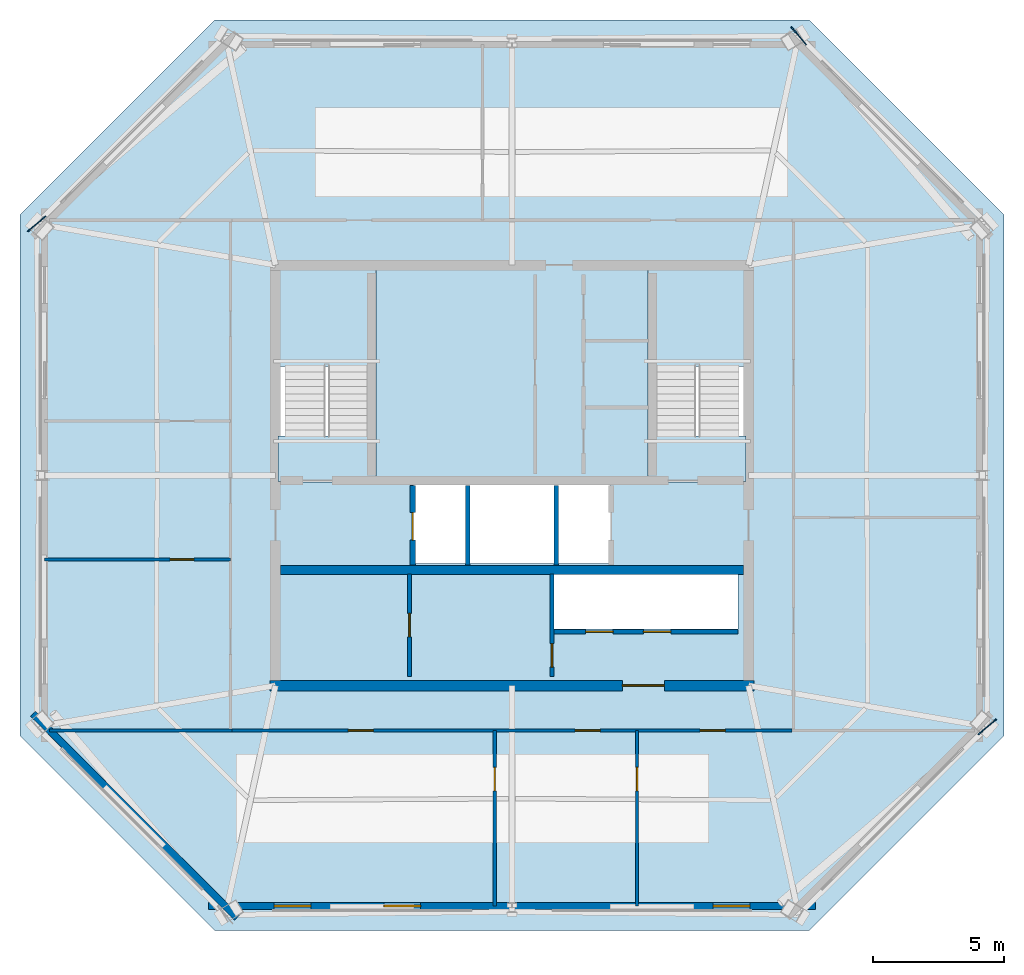
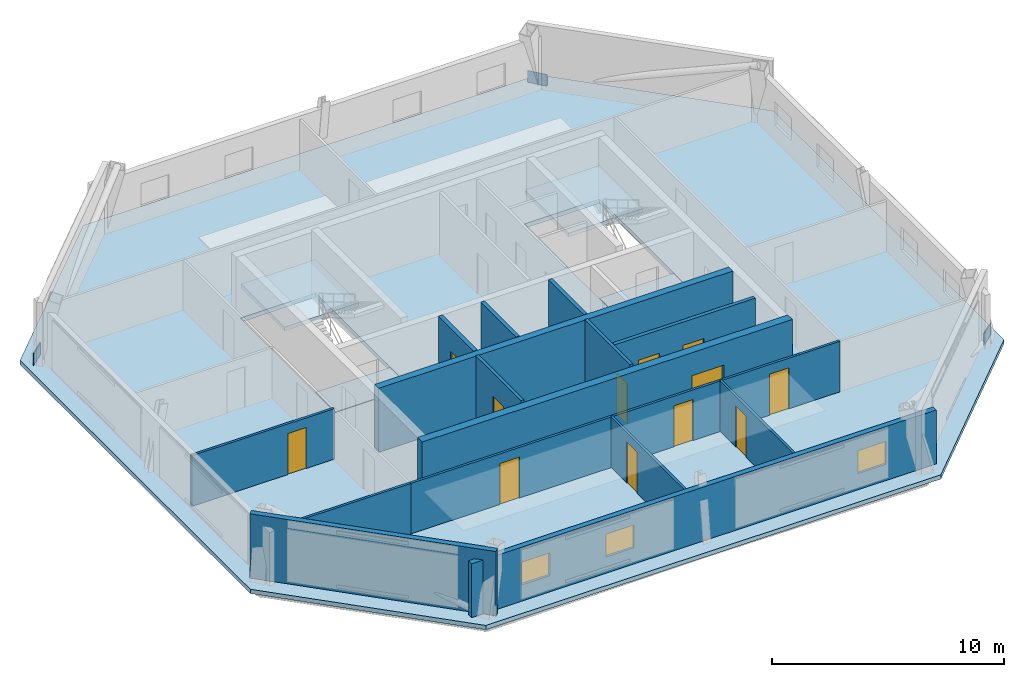
# One storey, part 2 of 6: 15 walls, 12 doors, 5 slabs, 3 plates, 3 windows, 15 openings, 2 elements without a shape of their own.
"""IFC4 building model written with IfcOpenShell, lengths in metres."""

from ifc_helpers import new_model, si_unit, direction, frame, frame_2d, origin, origin_2d, place, context, subcontext, project, spatial, polyline, rectangle, outline, extrude, material, layer, layer_set, type_object, element, fill, aggregate, save


model = new_model("IFC4")

# Units and contexts
model_context = context("Model", 3, precision=1e-05, world=origin(), true_north=direction((0.0, 1.0)))
body_context = subcontext(model_context, "Body", "Model", "MODEL_VIEW")
ifc_project = project(units=[si_unit("LENGTHUNIT", "METRE"), si_unit("AREAUNIT", "SQUARE_METRE"), si_unit("VOLUMEUNIT", "CUBIC_METRE"), si_unit("PLANEANGLEUNIT", "RADIAN"), si_unit("MASSUNIT", "GRAM", prefix="KILO")], contexts=[model_context])

# Site, building, storey
site_placement = place(None, origin())
site = spatial("IfcSite", under=ifc_project, at=site_placement, CompositionType="ELEMENT")
building_placement = place(site_placement, origin())
building = spatial("IfcBuilding", under=site, at=building_placement, Name="Caelvoria Tower", CompositionType="ELEMENT")
storey_placement = place(building_placement, frame((0.0, 0.0, 268.199951171875)))
storey = spatial("IfcBuildingStorey", under=building, at=storey_placement, Name="L71", CompositionType="ELEMENT", Elevation=268.199951171875)

# Plates
ifc_material_1 = material(Name="Structural Steel ASTM A572 Gr.50", Category="steel")
ifc_layer_1 = layer(ifc_material_1, 0.0400390625, Name="Structural Steel ASTM A572 Gr.50")
ifc_layer_set_1 = layer_set([ifc_layer_1], Name="Megaframe Node Gusset Plate 900x600x40 - Structural Steel ASTM A572 Gr.50")
plate_type = type_object("IfcPlateType", Name="Megaframe Node Gusset Plate 900x600x40", PredefinedType="USERDEFINED", material=ifc_layer_set_1)
for number, where, z_axis, x_axis, name in (
    (1, (64.086181640625, 22.427734375, 0.02001953125), (0.0, 0.0, 1.0), (-0.761714743797, -0.647912531969, 0.0), "Chamfer Mega Brace Gusset L71 SE"),
    (2, (56.9111328125, 48.724365234375, 0.02001953125), (0.0, 0.0, 1.0), (0.648837346052, -0.760927130788, 0.0), "Chamfer Mega Brace Gusset L71 NE"),
    (3, (27.913818359375, 41.572265625, 0.02001953125), (0.0, 0.0, 1.0), (0.761714743797, 0.647912531969, 0.0), "Chamfer Mega Brace Gusset L71 NW"),
):
    element("IfcPlate", number, at=place(storey_placement, frame(where, z_axis=z_axis, x_axis=x_axis)), inside=storey, type_object=plate_type, Name=name, ObjectType="GUSSET_PLATE", PredefinedType="USERDEFINED", context=body_context, shape_type="SweptSolid", body=[
        extrude(rectangle(XDim=0.89990234375, YDim=0.0400390625, at=origin_2d()), origin(), (0.0, 0.0, 1.0), 0.60009765625),
    ])

# Stair, slabs
ifc_material_2 = material(Name="Concrete C40/50", Category="concrete")
stair_type = type_object("IfcStairType", Name="Core Smokeproof Dogleg Stair Concrete C40/50", PredefinedType="HALF_TURN_STAIR", material=ifc_material_2)
stair_1_placement = place(storey_placement, origin())
stair_1 = element("IfcStair", 4, at=stair_1_placement, inside=storey, type_object=stair_type, Name="ST-01 Smokeproof Exit Stair L71", PredefinedType="HALF_TURN_STAIR")
ifc_layer_2 = layer(ifc_material_2, 0.199951171875, Name="Concrete C40/50")
ifc_layer_set_2 = layer_set([ifc_layer_2], Name="Stair Half and Floor Landing Slab 200 Concrete C40/50 - Concrete C40/50")
slab_type_1 = type_object("IfcSlabType", Name="Stair Half and Floor Landing Slab 200 Concrete C40/50", PredefinedType="LANDING", material=ifc_layer_set_2)
slab_1_placement = place(storey_placement, frame((0.0, 0.0, -0.199951171875)))
slab_1 = element("IfcSlab", 5, at=slab_1_placement, type_object=slab_type_1, Name="ST-01 landing 1", PredefinedType="LANDING", context=body_context, shape_type="SweptSolid", body=[
    extrude(outline(polyline([(37.10009765625, 31.77001953125), (40.800048828125, 31.77001953125), (40.800048828125, 33.5), (37.10009765625, 33.5), (37.10009765625, 31.77001953125)])), origin(), (0.0, 0.0, 1.0), 0.199951171875),
])
slab_2_placement = place(storey_placement, frame((0.0, 0.0, 1.60009765625)))
slab_2 = element("IfcSlab", 6, at=slab_2_placement, type_object=slab_type_1, Name="ST-01 landing 2", PredefinedType="LANDING", context=body_context, shape_type="SweptSolid", body=[
    extrude(outline(polyline([(37.10009765625, 36.14990234375), (40.800048828125, 36.14990234375), (40.800048828125, 39.89990234375), (37.10009765625, 39.89990234375), (37.10009765625, 36.14990234375)])), origin(), (0.0, 0.0, 1.0), 0.199951171875),
])
aggregate(stair_1, [slab_1, slab_2])

stair_2_placement = place(storey_placement, origin())
stair_2 = element("IfcStair", 7, at=stair_2_placement, inside=storey, type_object=stair_type, Name="ST-02 Smokeproof Exit Stair L71", PredefinedType="HALF_TURN_STAIR")
slab_3_placement = place(storey_placement, frame((0.0, 0.0, -0.199951171875)))
slab_3 = element("IfcSlab", 8, at=slab_3_placement, type_object=slab_type_1, Name="ST-02 landing 1", PredefinedType="LANDING", context=body_context, shape_type="SweptSolid", body=[
    extrude(outline(polyline([(51.199951171875, 31.77001953125), (54.89990234375, 31.77001953125), (54.89990234375, 33.5), (51.199951171875, 33.5), (51.199951171875, 31.77001953125)])), origin(), (0.0, 0.0, 1.0), 0.199951171875),
])
slab_4_placement = place(storey_placement, frame((0.0, 0.0, 1.60009765625)))
slab_4 = element("IfcSlab", 9, at=slab_4_placement, type_object=slab_type_1, Name="ST-02 landing 2", PredefinedType="LANDING", context=body_context, shape_type="SweptSolid", body=[
    extrude(outline(polyline([(51.199951171875, 36.14990234375), (54.89990234375, 36.14990234375), (54.89990234375, 39.89990234375), (51.199951171875, 39.89990234375), (51.199951171875, 36.14990234375)])), origin(), (0.0, 0.0, 1.0), 0.199951171875),
])
aggregate(stair_2, [slab_3, slab_4])

# Slab
ifc_layer_3 = layer(ifc_material_2, 0.22509765625, Name="Concrete C40/50")
ifc_layer_set_3 = layer_set([ifc_layer_3], Name="Upper Tower Composite Office Slab 225 - Concrete C40/50")
slab_type_2 = type_object("IfcSlabType", Name="Upper Tower Composite Office Slab 225", PredefinedType="FLOOR", material=ifc_layer_set_3)
slab_5_placement = place(storey_placement, frame((0.0, 0.0, -0.224853515625)))
element("IfcSlab", 10, at=slab_5_placement, inside=storey, type_object=slab_type_2, Name="Level L71 Structural Floor Slab", PredefinedType="FLOOR", context=body_context, shape_type="SweptSolid", body=[
    extrude(outline(polyline([(34.695556640625, 14.672607421875), (57.304443359375, 14.672607421875), (64.72265625, 22.0908203125), (64.72265625, 41.9091796875), (57.304443359375, 49.327392578125), (34.695556640625, 49.327392578125), (27.27734375, 41.9091796875), (27.27734375, 22.0908203125), (34.695556640625, 14.672607421875)]), holes=[polyline([(37.080078125, 31.75), (40.820068359375, 31.75), (40.820068359375, 39.919921875), (37.080078125, 39.919921875), (37.080078125, 31.75)]), polyline([(51.179931640625, 31.75), (54.919921875, 31.75), (54.919921875, 39.919921875), (51.179931640625, 39.919921875), (51.179931640625, 31.75)]), polyline([(42.25, 28.64990234375), (49.75, 28.64990234375), (49.75, 31.800048828125), (42.25, 31.800048828125), (42.25, 28.64990234375)]), polyline([(47.60009765625, 26.14990234375), (54.60009765625, 26.14990234375), (54.60009765625, 28.25), (47.60009765625, 28.25), (47.60009765625, 26.14990234375)])]), origin(), (0.0, 0.0, 1.0), 0.224853515625),
])

# Wall
ifc_material_3 = material(Name="Concrete C50/60", Category="concrete")
ifc_layer_4 = layer(ifc_material_3, 0.35009765625, Name="Concrete C50/60")
ifc_layer_set_4 = layer_set([ifc_layer_4], Name="Core Internal Shear Wall 350 - Concrete C50/60")
wall_type_1 = type_object("IfcWallType", Name="Core Internal Shear Wall 350", PredefinedType="SHEAR", material=ifc_layer_set_4)
wall_1_placement = place(storey_placement, frame((37.199951171875, 28.39990234375, 0.0), z_axis=(0.0, 0.0, 1.0), x_axis=(1.0, 0.0, 0.0)))
element("IfcWall", 11, at=wall_1_placement, inside=storey, type_object=wall_type_1, Name="Core Shear Wall L71 M2", PredefinedType="SHEAR", context=body_context, shape_type="SweptSolid", body=[
    extrude(rectangle(XDim=17.60009765625, YDim=0.35009765625, at=frame_2d((8.800048828125, 0.0))), origin(), (0.0, 0.0, 1.0), 3.360107421875),
])

# Wall, opening, door
ifc_material_4 = material(Name="Double Gypsum Board on Steel Stud", Category="steel")
ifc_layer_5 = layer(ifc_material_4, 0.14990234375, Name="Double Gypsum Board on Steel Stud")
ifc_layer_set_5 = layer_set([ifc_layer_5], Name="Core Service Acoustic Partition Wall 150 - Double Gypsum Board on Steel Stud")
wall_type_2 = type_object("IfcWallType", Name="Core Service Acoustic Partition Wall 150", PredefinedType="PARTITIONING", material=ifc_layer_set_5)
wall_2_placement = place(storey_placement, frame((42.10009765625, 24.35009765625, 0.0), z_axis=(0.0, 0.0, 1.0), x_axis=(0.0, 1.0, 0.0)))
wall_2 = element("IfcWall", 12, at=wall_2_placement, inside=storey, type_object=wall_type_2, Name="Interior Partition IW-L71-RECL-MID", PredefinedType="PARTITIONING", context=body_context, shape_type="SweptSolid", body=[
    extrude(rectangle(XDim=3.89990234375, YDim=0.14990234375, at=frame_2d((1.949951171875, 0.0))), origin(), (0.0, 0.0, 1.0), 3.375),
])
opening_1_placement = place(wall_2_placement, frame((1.5, 0.0, 0.0)))
opening_1 = element("IfcOpeningElement", 13, at=opening_1_placement, cuts=wall_2, Name="Opening ID-06", PredefinedType="OPENING", context=body_context, shape_type="SweptSolid", body=[
    extrude(rectangle(XDim=0.89990234375, YDim=2.14990234375, at=frame_2d((0.449951171875, 1.074951171875))), frame((0.0, 0.0849609375, 0.0), z_axis=(0.0, -1.0, 0.0), x_axis=(1.0, 0.0, 0.0)), (0.0, 0.0, 1.0), 0.169921875),
])
ifc_material_5 = material(Name="Engineered Andean Oak Veneer Door", Category="wood")
door_type_1 = type_object("IfcDoorType", Name="Interior Timber Door 900x2150", OperationType="NOTDEFINED", PredefinedType="DOOR", material=ifc_material_5)
door_1_placement = place(opening_1_placement, origin())
door_1 = element("IfcDoor", 14, at=door_1_placement, inside=storey, type_object=door_type_1, Name="Interior Door DR-L71-RECL12", OperationType="SINGLE_SWING_LEFT", OverallHeight=2.14990234375, OverallWidth=0.89990234375, PredefinedType="DOOR", context=body_context, shape_type="SweptSolid", body=[
    extrude(rectangle(XDim=0.89990234375, YDim=2.14990234375, at=frame_2d((0.449951171875, 1.074951171875))), frame((0.0, 0.02490234375, 0.0), z_axis=(0.0, -1.0, 0.0), x_axis=(1.0, 0.0, 0.0)), (0.0, 0.0, 1.0), 0.050048828125),
])
fill(opening_1, door_1)

wall_3_placement = place(storey_placement, frame((47.52001953125, 24.35009765625, 0.0), z_axis=(0.0, 0.0, 1.0), x_axis=(0.0, 1.0, 0.0)))
wall_3 = element("IfcWall", 15, at=wall_3_placement, inside=storey, type_object=wall_type_2, Name="Interior Partition IW-L71-RECL2E", PredefinedType="PARTITIONING", context=body_context, shape_type="SweptSolid", body=[
    extrude(rectangle(XDim=3.89990234375, YDim=0.14990234375, at=frame_2d((1.949951171875, 0.0))), origin(), (0.0, 0.0, 1.0), 3.375),
])
opening_2_placement = place(wall_3_placement, frame((0.35009765625, 0.0, 0.0)))
opening_2 = element("IfcOpeningElement", 16, at=opening_2_placement, cuts=wall_3, Name="Opening ID-04", PredefinedType="OPENING", context=body_context, shape_type="SweptSolid", body=[
    extrude(rectangle(XDim=0.89990234375, YDim=2.14990234375, at=frame_2d((0.449951171875, 1.074951171875))), frame((0.0, 0.0849609375, 0.0), z_axis=(0.0, -1.0, 0.0), x_axis=(1.0, 0.0, 0.0)), (0.0, 0.0, 1.0), 0.169921875),
])
ifc_material_6 = material(Name="Acoustic Timber Fire Door", Category="wood")
door_type_2 = type_object("IfcDoorType", Name="Fire Door FD30S 900x2150", OperationType="NOTDEFINED", PredefinedType="DOOR", material=ifc_material_6)
door_2_placement = place(opening_2_placement, origin())
door_2 = element("IfcDoor", 17, at=door_2_placement, inside=storey, type_object=door_type_2, Name="Interior Door DR-L71-RECL2", OperationType="SINGLE_SWING_RIGHT", OverallHeight=2.14990234375, OverallWidth=0.89990234375, PredefinedType="DOOR", context=body_context, shape_type="SweptSolid", body=[
    extrude(rectangle(XDim=0.89990234375, YDim=2.14990234375, at=frame_2d((0.449951171875, 1.074951171875))), frame((0.0, 0.02490234375, 0.0), z_axis=(0.0, -1.0, 0.0), x_axis=(1.0, 0.0, 0.0)), (0.0, 0.0, 1.0), 0.050048828125),
])
fill(opening_2, door_2)

# Walls
ifc_material_7 = material(Name="Concrete Block and Fireboard Assembly", Category="concrete")
ifc_layer_6 = layer(ifc_material_7, 0.179931640625, Name="Concrete Block and Fireboard Assembly")
ifc_layer_set_6 = layer_set([ifc_layer_6], Name="Fire-Rated Hoistway Partition Wall 180 - Concrete Block and Fireboard Assembly")
wall_type_3 = type_object("IfcWallType", Name="Fire-Rated Hoistway Partition Wall 180", PredefinedType="PARTITIONING", material=ifc_layer_set_6)
for number, where, z_axis, x_axis, name in (
    (18, (44.320068359375, 28.580078125, 0.0), (0.0, 0.0, 1.0), (0.0, 1.0, 0.0), "Interior Partition IW-L71-SV1W"),
    (19, (47.679931640625, 28.580078125, 0.0), (0.0, 0.0, 1.0), (0.0, 1.0, 0.0), "Interior Partition IW-L71-SV1E"),
):
    element("IfcWall", number, at=place(storey_placement, frame(where, z_axis=z_axis, x_axis=x_axis)), inside=storey, type_object=wall_type_3, Name=name, PredefinedType="PARTITIONING", context=body_context, shape_type="SweptSolid", body=[
        extrude(rectangle(XDim=3.0400390625, YDim=0.179931640625, at=frame_2d((1.52001953125, 0.0))), origin(), (0.0, 0.0, 1.0), 3.375),
    ])

# Wall, openings, doors
wall_4_placement = place(storey_placement, frame((47.60009765625, 26.050048828125, 0.0), z_axis=(0.0, 0.0, 1.0), x_axis=(1.0, 0.0, 0.0)))
wall_4 = element("IfcWall", 20, at=wall_4_placement, inside=storey, type_object=wall_type_3, Name="Interior Partition IW-L71-LFRONT", PredefinedType="PARTITIONING", context=body_context, shape_type="SweptSolid", body=[
    extrude(rectangle(XDim=7.0, YDim=0.179931640625, at=frame_2d((3.5, 0.0))), origin(), (0.0, 0.0, 1.0), 3.375),
])
opening_3_placement = place(wall_4_placement, frame((1.199951171875, 0.0, 0.0)))
opening_3 = element("IfcOpeningElement", 21, at=opening_3_placement, cuts=wall_4, Name="Opening LD-01", PredefinedType="OPENING", context=body_context, shape_type="SweptSolid", body=[
    extrude(rectangle(XDim=1.050048828125, YDim=2.14990234375, at=frame_2d((0.52490234375, 1.074951171875))), frame((0.0, 0.099853515625, 0.0), z_axis=(0.0, -1.0, 0.0), x_axis=(1.0, 0.0, 0.0)), (0.0, 0.0, 1.0), 0.199951171875),
])
opening_4_placement = place(wall_4_placement, frame((3.39990234375, 0.0, 0.0)))
opening_4 = element("IfcOpeningElement", 22, at=opening_4_placement, cuts=wall_4, Name="Opening LD-01", PredefinedType="OPENING", context=body_context, shape_type="SweptSolid", body=[
    extrude(rectangle(XDim=1.050048828125, YDim=2.14990234375, at=frame_2d((0.52490234375, 1.074951171875))), frame((0.0, 0.099853515625, 0.0), z_axis=(0.0, -1.0, 0.0), x_axis=(1.0, 0.0, 0.0)), (0.0, 0.0, 1.0), 0.199951171875),
])
ifc_material_8 = material(Name="Brushed Bronze Stainless Sliding Landing Door", Category="aluminium")
door_type_3 = type_object("IfcDoorType", Name="Lift Landing Sliding Door 1100x2150", OperationType="NOTDEFINED", PredefinedType="DOOR", material=ifc_material_8)
door_3_placement = place(opening_3_placement, origin())
door_3 = element("IfcDoor", 23, at=door_3_placement, inside=storey, type_object=door_type_3, Name="Interior Door LD-L71-PH1", OperationType="SLIDING_TO_LEFT", OverallHeight=2.14990234375, OverallWidth=1.050048828125, PredefinedType="DOOR", context=body_context, shape_type="SweptSolid", body=[
    extrude(rectangle(XDim=1.050048828125, YDim=2.14990234375, at=frame_2d((0.52490234375, 1.074951171875))), frame((0.0, 0.02490234375, 0.0), z_axis=(0.0, -1.0, 0.0), x_axis=(1.0, 0.0, 0.0)), (0.0, 0.0, 1.0), 0.050048828125),
])
fill(opening_3, door_3)
door_4_placement = place(opening_4_placement, origin())
door_4 = element("IfcDoor", 24, at=door_4_placement, inside=storey, type_object=door_type_3, Name="Interior Door LD-L71-PH2", OperationType="SLIDING_TO_RIGHT", OverallHeight=2.14990234375, OverallWidth=1.050048828125, PredefinedType="DOOR", context=body_context, shape_type="SweptSolid", body=[
    extrude(rectangle(XDim=1.050048828125, YDim=2.14990234375, at=frame_2d((0.52490234375, 1.074951171875))), frame((0.0, 0.02490234375, 0.0), z_axis=(0.0, -1.0, 0.0), x_axis=(1.0, 0.0, 0.0)), (0.0, 0.0, 1.0), 0.050048828125),
])
fill(opening_4, door_4)

# Wall, opening, door
ifc_layer_7 = layer(ifc_material_7, 0.199951171875, Name="Concrete Block and Fireboard Assembly")
ifc_layer_set_7 = layer_set([ifc_layer_7], Name="Fire-Rated Shaft and Core Partition Wall 200 - Concrete Block and Fireboard Assembly")
wall_type_4 = type_object("IfcWallType", Name="Fire-Rated Shaft and Core Partition Wall 200", PredefinedType="PARTITIONING", material=ifc_layer_set_7)
wall_5_placement = place(storey_placement, frame((42.219970703125, 28.580078125, 0.0), z_axis=(0.0, 0.0, 1.0), x_axis=(0.0, 1.0, 0.0)))
wall_5 = element("IfcWall", 25, at=wall_5_placement, inside=storey, type_object=wall_type_4, Name="Interior Partition IW-L71-LF1W", PredefinedType="PARTITIONING", context=body_context, shape_type="SweptSolid", body=[
    extrude(rectangle(XDim=3.0400390625, YDim=0.199951171875, at=frame_2d((1.52001953125, 0.0))), origin(), (0.0, 0.0, 1.0), 3.375),
])
opening_5_placement = place(wall_5_placement, frame((0.949951171875, 0.0, 0.0)))
opening_5 = element("IfcOpeningElement", 26, at=opening_5_placement, cuts=wall_5, Name="Opening LD-01", PredefinedType="OPENING", context=body_context, shape_type="SweptSolid", body=[
    extrude(rectangle(XDim=1.050048828125, YDim=2.14990234375, at=frame_2d((0.52490234375, 1.074951171875))), frame((0.0, 0.10986328125, 0.0), z_axis=(0.0, -1.0, 0.0), x_axis=(1.0, 0.0, 0.0)), (0.0, 0.0, 1.0), 0.219970703125),
])
door_5_placement = place(opening_5_placement, origin())
door_5 = element("IfcDoor", 27, at=door_5_placement, inside=storey, type_object=door_type_3, Name="Interior Door LD-L71-LF1", OperationType="SLIDING_TO_LEFT", OverallHeight=2.14990234375, OverallWidth=1.050048828125, PredefinedType="DOOR", context=body_context, shape_type="SweptSolid", body=[
    extrude(rectangle(XDim=1.050048828125, YDim=2.14990234375, at=frame_2d((0.52490234375, 1.074951171875))), frame((0.0, 0.02490234375, 0.0), z_axis=(0.0, -1.0, 0.0), x_axis=(1.0, 0.0, 0.0)), (0.0, 0.0, 1.0), 0.050048828125),
])
fill(opening_5, door_5)

ifc_layer_8 = layer(ifc_material_3, 0.39990234375, Name="Concrete C50/60")
ifc_layer_set_8 = layer_set([ifc_layer_8], Name="Summit Core Shear Wall 400 - Concrete C50/60")
wall_type_5 = type_object("IfcWallType", Name="Summit Core Shear Wall 400", PredefinedType="SHEAR", material=ifc_layer_set_8)
wall_6_placement = place(storey_placement, frame((36.800048828125, 24.0, 0.0), z_axis=(0.0, 0.0, 1.0), x_axis=(1.0, 0.0, 0.0)))
wall_6 = element("IfcWall", 28, at=wall_6_placement, inside=storey, type_object=wall_type_5, Name="Core Shear Wall L71 S", PredefinedType="SHEAR", context=body_context, shape_type="SweptSolid", body=[
    extrude(rectangle(XDim=18.39990234375, YDim=0.39990234375, at=frame_2d((9.199951171875, 0.0))), origin(), (0.0, 0.0, 1.0), 3.360107421875),
])
opening_6_placement = place(wall_6_placement, frame((13.39990234375, 0.0, 0.0)))
opening_6 = element("IfcOpeningElement", 29, at=opening_6_placement, cuts=wall_6, Name="Opening ID-08", PredefinedType="OPENING", context=body_context, shape_type="SweptSolid", body=[
    extrude(rectangle(XDim=1.60009765625, YDim=2.14990234375, at=frame_2d((0.800048828125, 1.074951171875))), frame((0.0, 0.2099609375, 0.0), z_axis=(0.0, -1.0, 0.0), x_axis=(1.0, 0.0, 0.0)), (0.0, 0.0, 1.0), 0.419921875),
])
ifc_material_9 = material(Name="Bronze-Framed Fire-Rated Glazed Double Door", Category="aluminium")
door_type_4 = type_object("IfcDoorType", Name="Double Lobby Glazed Door 1600x2200", OperationType="NOTDEFINED", PredefinedType="DOOR", material=ifc_material_9)
door_6_placement = place(opening_6_placement, origin())
door_6 = element("IfcDoor", 30, at=door_6_placement, inside=storey, type_object=door_type_4, Name="Core Door DR-L71-LLOB-S2", OperationType="DOUBLE_DOOR_SINGLE_SWING", OverallHeight=2.14990234375, OverallWidth=1.60009765625, PredefinedType="DOOR", context=body_context, shape_type="SweptSolid", body=[
    extrude(rectangle(XDim=1.60009765625, YDim=2.14990234375, at=frame_2d((0.800048828125, 1.074951171875))), frame((0.0, 0.02490234375, 0.0), z_axis=(0.0, -1.0, 0.0), x_axis=(1.0, 0.0, 0.0)), (0.0, 0.0, 1.0), 0.050048828125),
])
fill(opening_6, door_6)

ifc_material_10 = material(Name="Acoustic Gypsum Board on Light-Gauge Stud", Category="gypsum")
ifc_layer_9 = layer(ifc_material_10, 0.1201171875, Name="Acoustic Gypsum Board on Light-Gauge Stud")
ifc_layer_set_9 = layer_set([ifc_layer_9], Name="Tenant Suite Acoustic Partition Wall 120 - Acoustic Gypsum Board on Light-Gauge Stud")
wall_type_6 = type_object("IfcWallType", Name="Tenant Suite Acoustic Partition Wall 120", PredefinedType="PARTITIONING", material=ifc_layer_set_9)
wall_7_placement = place(storey_placement, frame((45.345458984375, 22.2900390625, 0.0), z_axis=(0.0, 0.0, 1.0), x_axis=(0.0, -1.0, 0.0)))
wall_7 = element("IfcWall", 31, at=wall_7_placement, inside=storey, type_object=wall_type_6, Name="Interior Partition IW-L71-SD-00-0", PredefinedType="PARTITIONING", context=body_context, shape_type="SweptSolid", body=[
    extrude(rectangle(XDim=6.67724609375, YDim=0.1201171875, at=frame_2d((3.338623046875, 0.0))), origin(), (0.0, 0.0, 1.0), 2.655029296875),
])
opening_7_placement = place(wall_7_placement, frame((1.39990234375, 0.0, 0.0)))
opening_7 = element("IfcOpeningElement", 32, at=opening_7_placement, cuts=wall_7, Name="Opening ID-06", PredefinedType="OPENING", context=body_context, shape_type="SweptSolid", body=[
    extrude(rectangle(XDim=0.89990234375, YDim=2.14990234375, at=frame_2d((0.449951171875, 1.074951171875))), frame((0.0, 0.070068359375, 0.0), z_axis=(0.0, -1.0, 0.0), x_axis=(1.0, 0.0, 0.0)), (0.0, 0.0, 1.0), 0.14013671875),
])
door_7_placement = place(opening_7_placement, origin())
door_7 = element("IfcDoor", 33, at=door_7_placement, inside=storey, type_object=door_type_1, Name="Interior Door DR-L71-SM-00-0", OperationType="SINGLE_SWING_RIGHT", OverallHeight=2.14990234375, OverallWidth=0.89990234375, PredefinedType="DOOR", context=body_context, shape_type="SweptSolid", body=[
    extrude(rectangle(XDim=0.89990234375, YDim=2.14990234375, at=frame_2d((0.449951171875, 1.074951171875))), frame((0.0, 0.02490234375, 0.0), z_axis=(0.0, -1.0, 0.0), x_axis=(1.0, 0.0, 0.0)), (0.0, 0.0, 1.0), 0.050048828125),
])
fill(opening_7, door_7)

wall_8_placement = place(storey_placement, frame((50.760986328125, 22.2900390625, 0.0), z_axis=(0.0, 0.0, 1.0), x_axis=(0.0, -1.0, 0.0)))
wall_8 = element("IfcWall", 34, at=wall_8_placement, inside=storey, type_object=wall_type_6, Name="Interior Partition IW-L71-SD-01-0", PredefinedType="PARTITIONING", context=body_context, shape_type="SweptSolid", body=[
    extrude(rectangle(XDim=6.67724609375, YDim=0.1201171875, at=frame_2d((3.338623046875, 0.0))), origin(), (0.0, 0.0, 1.0), 2.655029296875),
])
opening_8_placement = place(wall_8_placement, frame((1.39990234375, 0.0, 0.0)))
opening_8 = element("IfcOpeningElement", 35, at=opening_8_placement, cuts=wall_8, Name="Opening ID-06", PredefinedType="OPENING", context=body_context, shape_type="SweptSolid", body=[
    extrude(rectangle(XDim=0.89990234375, YDim=2.14990234375, at=frame_2d((0.449951171875, 1.074951171875))), frame((0.0, 0.070068359375, 0.0), z_axis=(0.0, -1.0, 0.0), x_axis=(1.0, 0.0, 0.0)), (0.0, 0.0, 1.0), 0.14013671875),
])
door_8_placement = place(opening_8_placement, origin())
door_8 = element("IfcDoor", 36, at=door_8_placement, inside=storey, type_object=door_type_1, Name="Interior Door DR-L71-SM-01-0", OperationType="SINGLE_SWING_LEFT", OverallHeight=2.14990234375, OverallWidth=0.89990234375, PredefinedType="DOOR", context=body_context, shape_type="SweptSolid", body=[
    extrude(rectangle(XDim=0.89990234375, YDim=2.14990234375, at=frame_2d((0.449951171875, 1.074951171875))), frame((0.0, 0.02490234375, 0.0), z_axis=(0.0, -1.0, 0.0), x_axis=(1.0, 0.0, 0.0)), (0.0, 0.0, 1.0), 0.050048828125),
])
fill(opening_8, door_8)

# Wall, openings, doors
wall_9_placement = place(storey_placement, frame((35.35009765625, 22.2900390625, 0.0), z_axis=(0.0, 0.0, 1.0), x_axis=(1.0, 0.0, 0.0)))
wall_9 = element("IfcWall", 37, at=wall_9_placement, inside=storey, type_object=wall_type_6, Name="Interior Partition IW-L71-SCW-0", PredefinedType="PARTITIONING", context=body_context, shape_type="SweptSolid", body=[
    extrude(rectangle(XDim=21.2998046875, YDim=0.1201171875, at=frame_2d((10.64990234375, 0.0))), origin(), (0.0, 0.0, 1.0), 2.655029296875),
])
opening_9_placement = place(wall_9_placement, frame((4.425048828125, 0.0, 0.0)))
opening_9 = element("IfcOpeningElement", 38, at=opening_9_placement, cuts=wall_9, Name="Opening ID-05", PredefinedType="OPENING", context=body_context, shape_type="SweptSolid", body=[
    extrude(rectangle(XDim=0.949951171875, YDim=2.14990234375, at=frame_2d((0.47509765625, 1.074951171875))), frame((0.0, 0.070068359375, 0.0), z_axis=(0.0, -1.0, 0.0), x_axis=(1.0, 0.0, 0.0)), (0.0, 0.0, 1.0), 0.14013671875),
])
opening_10_placement = place(wall_9_placement, frame((13.050537109375, 0.0, 0.0)))
opening_10 = element("IfcOpeningElement", 39, at=opening_10_placement, cuts=wall_9, Name="Opening ID-05", PredefinedType="OPENING", context=body_context, shape_type="SweptSolid", body=[
    extrude(rectangle(XDim=0.949951171875, YDim=2.14990234375, at=frame_2d((0.47509765625, 1.074951171875))), frame((0.0, 0.070068359375, 0.0), z_axis=(0.0, -1.0, 0.0), x_axis=(1.0, 0.0, 0.0)), (0.0, 0.0, 1.0), 0.14013671875),
])
opening_11_placement = place(wall_9_placement, frame((17.810546875, 0.0, 0.0)))
opening_11 = element("IfcOpeningElement", 40, at=opening_11_placement, cuts=wall_9, Name="Opening ID-05", PredefinedType="OPENING", context=body_context, shape_type="SweptSolid", body=[
    extrude(rectangle(XDim=0.949951171875, YDim=2.14990234375, at=frame_2d((0.47509765625, 1.074951171875))), frame((0.0, 0.070068359375, 0.0), z_axis=(0.0, -1.0, 0.0), x_axis=(1.0, 0.0, 0.0)), (0.0, 0.0, 1.0), 0.14013671875),
])
door_type_5 = type_object("IfcDoorType", Name="Interior Timber Door 950x2150", OperationType="NOTDEFINED", PredefinedType="DOOR", material=ifc_material_5)
door_9_placement = place(opening_9_placement, origin())
door_9 = element("IfcDoor", 41, at=door_9_placement, inside=storey, type_object=door_type_5, Name="Interior Door DR-L71-SC-00-0", OperationType="SINGLE_SWING_RIGHT", OverallHeight=2.14990234375, OverallWidth=0.949951171875, PredefinedType="DOOR", context=body_context, shape_type="SweptSolid", body=[
    extrude(rectangle(XDim=0.949951171875, YDim=2.14990234375, at=frame_2d((0.47509765625, 1.074951171875))), frame((0.0, 0.02490234375, 0.0), z_axis=(0.0, -1.0, 0.0), x_axis=(1.0, 0.0, 0.0)), (0.0, 0.0, 1.0), 0.050048828125),
])
fill(opening_9, door_9)
door_10_placement = place(opening_10_placement, origin())
door_10 = element("IfcDoor", 42, at=door_10_placement, inside=storey, type_object=door_type_5, Name="Interior Door DR-L71-SC-01-0", OperationType="SINGLE_SWING_LEFT", OverallHeight=2.14990234375, OverallWidth=0.949951171875, PredefinedType="DOOR", context=body_context, shape_type="SweptSolid", body=[
    extrude(rectangle(XDim=0.949951171875, YDim=2.14990234375, at=frame_2d((0.47509765625, 1.074951171875))), frame((0.0, 0.02490234375, 0.0), z_axis=(0.0, -1.0, 0.0), x_axis=(1.0, 0.0, 0.0)), (0.0, 0.0, 1.0), 0.050048828125),
])
fill(opening_10, door_10)
door_11_placement = place(opening_11_placement, origin())
door_11 = element("IfcDoor", 43, at=door_11_placement, inside=storey, type_object=door_type_5, Name="Interior Door DR-L71-SC-02-0", OperationType="SINGLE_SWING_RIGHT", OverallHeight=2.14990234375, OverallWidth=0.949951171875, PredefinedType="DOOR", context=body_context, shape_type="SweptSolid", body=[
    extrude(rectangle(XDim=0.949951171875, YDim=2.14990234375, at=frame_2d((0.47509765625, 1.074951171875))), frame((0.0, 0.02490234375, 0.0), z_axis=(0.0, -1.0, 0.0), x_axis=(1.0, 0.0, 0.0)), (0.0, 0.0, 1.0), 0.050048828125),
])
fill(opening_11, door_11)

# Wall, opening, door
wall_10_placement = place(storey_placement, frame((35.2900390625, 28.793701171875, 0.0), z_axis=(0.0, 0.0, 1.0), x_axis=(-1.0, 0.0, 0.0)))
wall_10 = element("IfcWall", 44, at=wall_10_placement, inside=storey, type_object=wall_type_6, Name="Interior Partition IW-L71-WD-00-0", PredefinedType="PARTITIONING", context=body_context, shape_type="SweptSolid", body=[
    extrude(rectangle(XDim=7.07275390625, YDim=0.1201171875, at=frame_2d((3.536376953125, 0.0))), origin(), (0.0, 0.0, 1.0), 2.655029296875),
])
opening_12_placement = place(wall_10_placement, frame((1.39990234375, 0.0, 0.0)))
opening_12 = element("IfcOpeningElement", 45, at=opening_12_placement, cuts=wall_10, Name="Opening ID-06", PredefinedType="OPENING", context=body_context, shape_type="SweptSolid", body=[
    extrude(rectangle(XDim=0.89990234375, YDim=2.14990234375, at=frame_2d((0.449951171875, 1.074951171875))), frame((0.0, 0.070068359375, 0.0), z_axis=(0.0, -1.0, 0.0), x_axis=(1.0, 0.0, 0.0)), (0.0, 0.0, 1.0), 0.14013671875),
])
door_12_placement = place(opening_12_placement, origin())
door_12 = element("IfcDoor", 46, at=door_12_placement, inside=storey, type_object=door_type_1, Name="Interior Door DR-L71-WM-00-0", OperationType="SINGLE_SWING_RIGHT", OverallHeight=2.14990234375, OverallWidth=0.89990234375, PredefinedType="DOOR", context=body_context, shape_type="SweptSolid", body=[
    extrude(rectangle(XDim=0.89990234375, YDim=2.14990234375, at=frame_2d((0.449951171875, 1.074951171875))), frame((0.0, 0.02490234375, 0.0), z_axis=(0.0, -1.0, 0.0), x_axis=(1.0, 0.0, 0.0)), (0.0, 0.0, 1.0), 0.050048828125),
])
fill(opening_12, door_12)

# Wall
wall_11_placement = place(storey_placement, frame((35.35009765625, 22.2900390625, 0.0), z_axis=(0.0, 0.0, 1.0), x_axis=(-1.0, 0.0, 0.0)))
element("IfcWall", 47, at=wall_11_placement, inside=storey, type_object=wall_type_6, Name="Interior Partition IW-L71-BSW-0", PredefinedType="PARTITIONING", context=body_context, shape_type="SweptSolid", body=[
    extrude(rectangle(XDim=6.9423828125, YDim=0.1201171875, at=frame_2d((3.47119140625, 0.0))), origin(), (0.0, 0.0, 1.0), 2.655029296875),
])

# Wall, openings, windows
ifc_material_11 = material(Name="Precast Concrete C40/50 with Bronze Cladding", Category="concrete")
ifc_layer_10 = layer(ifc_material_11, 0.264892578125, Name="Precast Concrete C40/50 with Bronze Cladding")
ifc_layer_set_10 = layer_set([ifc_layer_10], Name="Upper Taper Precast Concrete C40/50 Bronze Facade Wall 265 - Precast Concrete C40/50 with Bronze Cladding")
wall_type_7 = type_object("IfcWallType", Name="Upper Taper Precast Concrete C40/50 Bronze Facade Wall 265", PredefinedType="STANDARD", material=ifc_layer_set_10)
wall_12_placement = place(storey_placement, frame((34.45556640625, 15.61279296875, 0.0), z_axis=(0.0, 0.0, 1.0), x_axis=(1.0, 0.0, 0.0)))
wall_12 = element("IfcWall", 48, at=wall_12_placement, inside=storey, type_object=wall_type_7, Name="Exterior Facade Wall L71-E0", PredefinedType="STANDARD", context=body_context, shape_type="SweptSolid", body=[
    extrude(rectangle(XDim=23.0888671875, YDim=0.264892578125, at=frame_2d((11.54443359375, 0.0))), origin(), (0.0, 0.0, 1.0), 2.83203125),
])
opening_13_placement = place(wall_12_placement, frame((2.489013671875, 0.0, 0.85009765625)))
opening_13 = element("IfcOpeningElement", 49, at=opening_13_placement, cuts=wall_12, Name="Opening WN-06", PredefinedType="OPENING", context=body_context, shape_type="SweptSolid", body=[
    extrude(rectangle(XDim=1.39990234375, YDim=1.199951171875, at=frame_2d((0.699951171875, 0.60009765625))), frame((0.0, 0.142333984375, 0.0), z_axis=(0.0, -1.0, 0.0), x_axis=(1.0, 0.0, 0.0)), (0.0, 0.0, 1.0), 0.284912109375),
])
opening_14_placement = place(wall_12_placement, frame((6.666748046875, 0.0, 0.85009765625)))
opening_14 = element("IfcOpeningElement", 50, at=opening_14_placement, cuts=wall_12, Name="Opening WN-06", PredefinedType="OPENING", context=body_context, shape_type="SweptSolid", body=[
    extrude(rectangle(XDim=1.39990234375, YDim=1.199951171875, at=frame_2d((0.699951171875, 0.60009765625))), frame((0.0, 0.142333984375, 0.0), z_axis=(0.0, -1.0, 0.0), x_axis=(1.0, 0.0, 0.0)), (0.0, 0.0, 1.0), 0.284912109375),
])
opening_15_placement = place(wall_12_placement, frame((19.2001953125, 0.0, 0.85009765625)))
opening_15 = element("IfcOpeningElement", 51, at=opening_15_placement, cuts=wall_12, Name="Opening WN-06", PredefinedType="OPENING", context=body_context, shape_type="SweptSolid", body=[
    extrude(rectangle(XDim=1.39990234375, YDim=1.199951171875, at=frame_2d((0.699951171875, 0.60009765625))), frame((0.0, 0.142333984375, 0.0), z_axis=(0.0, -1.0, 0.0), x_axis=(1.0, 0.0, 0.0)), (0.0, 0.0, 1.0), 0.284912109375),
])
ifc_material_12 = material(Name="Low-E Tinted Glass in Bronze Aluminium Frame", Category="aluminium")
window_type = type_object("IfcWindowType", Name="Podium Clerestory Window 1400x1200", PartitioningType="SINGLE_PANEL", PredefinedType="WINDOW", material=ifc_material_12)
window_1_placement = place(opening_13_placement, origin())
window_1 = element("IfcWindow", 52, at=window_1_placement, inside=storey, type_object=window_type, Name="Facade Window L71-E0-00", OverallHeight=1.199951171875, OverallWidth=1.39990234375, PartitioningType="SINGLE_PANEL", PredefinedType="WINDOW", context=body_context, shape_type="SweptSolid", body=[
    extrude(rectangle(XDim=1.39990234375, YDim=1.199951171875, at=frame_2d((0.699951171875, 0.60009765625))), frame((0.0, 0.030029296875, 0.0), z_axis=(0.0, -1.0, 0.0), x_axis=(1.0, 0.0, 0.0)), (0.0, 0.0, 1.0), 0.06005859375),
])
fill(opening_13, window_1)
window_2_placement = place(opening_14_placement, origin())
window_2 = element("IfcWindow", 53, at=window_2_placement, inside=storey, type_object=window_type, Name="Facade Window L71-E0-01", OverallHeight=1.199951171875, OverallWidth=1.39990234375, PartitioningType="SINGLE_PANEL", PredefinedType="WINDOW", context=body_context, shape_type="SweptSolid", body=[
    extrude(rectangle(XDim=1.39990234375, YDim=1.199951171875, at=frame_2d((0.699951171875, 0.60009765625))), frame((0.0, 0.030029296875, 0.0), z_axis=(0.0, -1.0, 0.0), x_axis=(1.0, 0.0, 0.0)), (0.0, 0.0, 1.0), 0.06005859375),
])
fill(opening_14, window_2)
window_3_placement = place(opening_15_placement, origin())
window_3 = element("IfcWindow", 54, at=window_3_placement, inside=storey, type_object=window_type, Name="Facade Window L71-E0-04", OverallHeight=1.199951171875, OverallWidth=1.39990234375, PartitioningType="SINGLE_PANEL", PredefinedType="WINDOW", context=body_context, shape_type="SweptSolid", body=[
    extrude(rectangle(XDim=1.39990234375, YDim=1.199951171875, at=frame_2d((0.699951171875, 0.60009765625))), frame((0.0, 0.030029296875, 0.0), z_axis=(0.0, -1.0, 0.0), x_axis=(1.0, 0.0, 0.0)), (0.0, 0.0, 1.0), 0.06005859375),
])
fill(opening_15, window_3)

# Wall
wall_13_placement = place(storey_placement, frame((27.772216796875, 22.92529296875, 0.0), z_axis=(0.0, 0.0, 1.0), x_axis=(0.707106781187, -0.707106781187, 0.0)))
element("IfcWall", 55, at=wall_13_placement, inside=storey, type_object=wall_type_7, Name="Exterior Facade Wall L71-E7", PredefinedType="STANDARD", context=body_context, shape_type="SweptSolid", body=[
    extrude(rectangle(XDim=10.970947265625, YDim=0.264892578125, at=frame_2d((5.4853515625, 0.0))), origin(), (0.0, 0.0, 1.0), 3.375),
])

save(model, "model.ifc")
